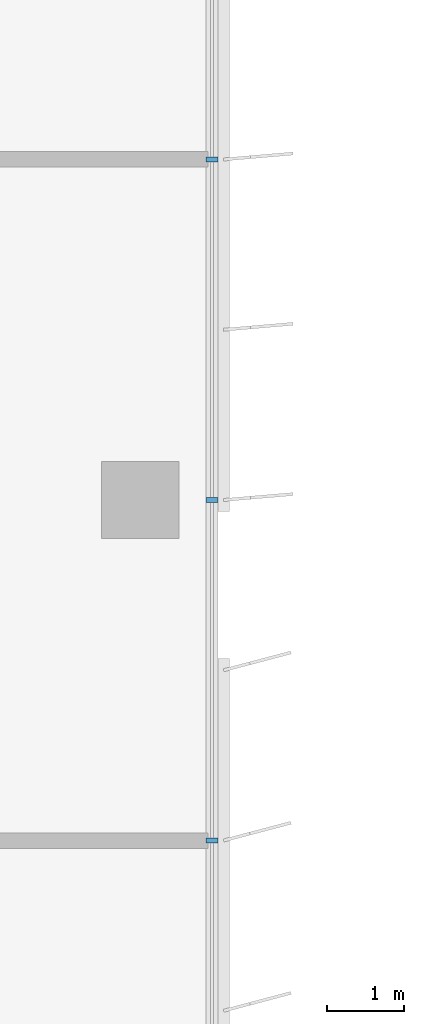
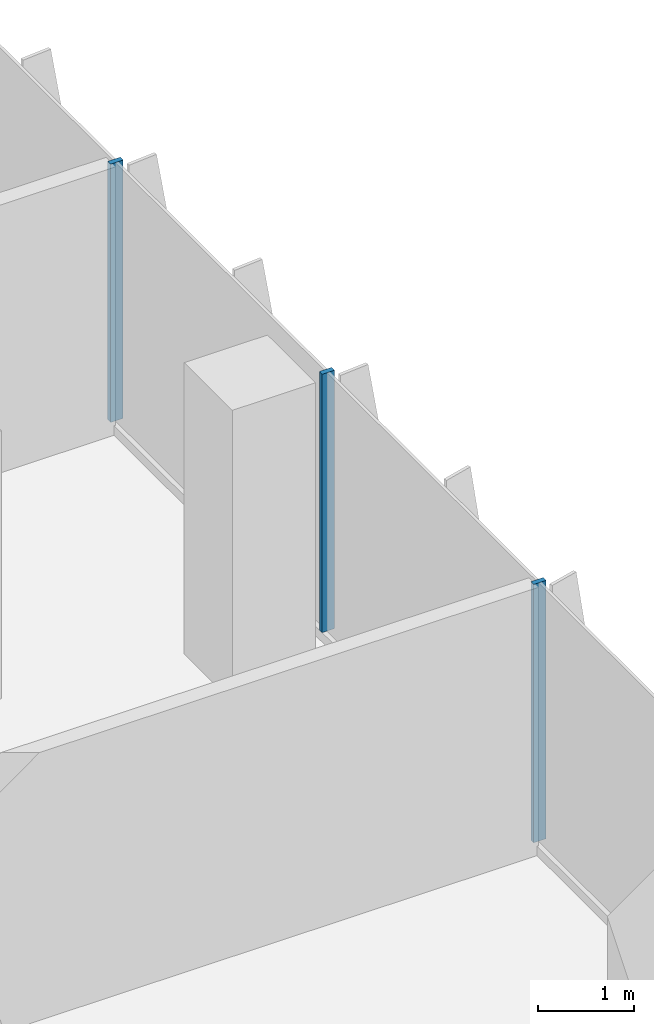
# One storey, part 5 of 21: 3 members, 1 element without a shape of its own.
"""IFC4 building model written with IfcOpenShell, lengths in metres."""

from ifc_helpers import new_model, si_unit, direction, frame, origin, origin_2d, place, context, subcontext, project, spatial, rectangle, extrude, source, transform, mapped, material, material_profile, profile_set, type_object, element, aggregate, save


model = new_model("IFC4")

# Units and contexts
model_context = context("Model", 3, precision=1e-05, world=origin(), true_north=direction((0.0, 1.0)))
body_context = subcontext(model_context, "Body", "Model", "MODEL_VIEW")
ifc_project = project(units=[si_unit("LENGTHUNIT", "METRE"), si_unit("AREAUNIT", "SQUARE_METRE"), si_unit("VOLUMEUNIT", "CUBIC_METRE"), si_unit("PLANEANGLEUNIT", "RADIAN"), si_unit("MASSUNIT", "GRAM", prefix="KILO")], contexts=[model_context])

# Site, building, storey
site_placement = place(None, origin())
site = spatial("IfcSite", under=ifc_project, at=site_placement, CompositionType="ELEMENT")
building_placement = place(site_placement, origin())
building = spatial("IfcBuilding", under=site, at=building_placement, Name="Kemantara Hotel Tower", CompositionType="ELEMENT")
storey_placement = place(building_placement, frame((0.0, 0.0, 175.300048828125)))
storey = spatial("IfcBuildingStorey", under=building, at=storey_placement, Name="L43", CompositionType="ELEMENT", Elevation=175.300048828125)

# Curtain wall, members
ifc_material_1 = material(Name="Low-E tinted double insulated glass 36 mm", Category="glass")
curtain_wall_type = type_object("IfcCurtainWallType", Name="TOWER CURTAIN WALL, FRONT FACES", PredefinedType="USERDEFINED", material=ifc_material_1)
curtain_wall_placement = place(storey_placement, origin())
curtain_wall = element("IfcCurtainWall", 1, at=curtain_wall_placement, inside=storey, type_object=curtain_wall_type, Name="CW4 L43 T3-R17-1", ObjectType="TOWER CURTAIN WALL, FRONT FACES", PredefinedType="USERDEFINED")
ifc_material_2 = material(Name="Aluminium 6063-T6 bronze anodised", Category="aluminium")
ifc_material_profile = material_profile(ifc_material_2, rectangle(XDim=0.14990234375, YDim=0.06005859375, at=origin_2d()), Name="TOWER CURTAIN WALL, FRONT FACES MULLION")
ifc_profile_set = profile_set([ifc_material_profile], Name="Aluminium 6063-T6 bronze anodised")
member_type = type_object("IfcMemberType", Name="TOWER CURTAIN WALL, FRONT FACES MULLION", PredefinedType="MULLION", material=ifc_profile_set)
shared_shape = source(origin(), body_context, "Body", "SweptSolid", [
    extrude(rectangle(XDim=0.14990234375, YDim=0.06005859375, at=origin_2d()), origin(), (0.0, 0.0, 1.0), 3.280029296875),
])
member_1_placement = place(storey_placement, frame((21.925048828125, 31.800048828125, 0.119873046875), z_axis=(0.0, 0.0, 1.0), x_axis=(-1.0, 0.0, 0.0)))
member_1 = element("IfcMember", 2, at=member_1_placement, type_object=member_type, Name="CW4 mullion T3-R17-1.3", PredefinedType="MULLION", context=body_context, shape_type="MappedRepresentation", body=[
    mapped(shared_shape, transform((0.0, 0.0, 0.0))),
])
member_2_placement = place(storey_placement, frame((21.925048828125, 36.199951171875, 0.119873046875), z_axis=(0.0, 0.0, 1.0), x_axis=(-1.0, 0.0, 0.0)))
member_2 = element("IfcMember", 3, at=member_2_placement, type_object=member_type, Name="CW4 mullion T3-R17-1.4", PredefinedType="MULLION", context=body_context, shape_type="MappedRepresentation", body=[
    mapped(shared_shape, transform((0.0, 0.0, 0.0))),
])
member_3_placement = place(storey_placement, frame((21.925048828125, 40.60009765625, 0.119873046875), z_axis=(0.0, 0.0, 1.0), x_axis=(-1.0, 0.0, 0.0)))
member_3 = element("IfcMember", 4, at=member_3_placement, type_object=member_type, Name="CW4 mullion T3-R17-1.5", PredefinedType="MULLION", context=body_context, shape_type="MappedRepresentation", body=[
    mapped(shared_shape, transform((0.0, 0.0, 0.0))),
])
aggregate(curtain_wall, [member_1, member_2, member_3])

save(model, "model.ifc")
